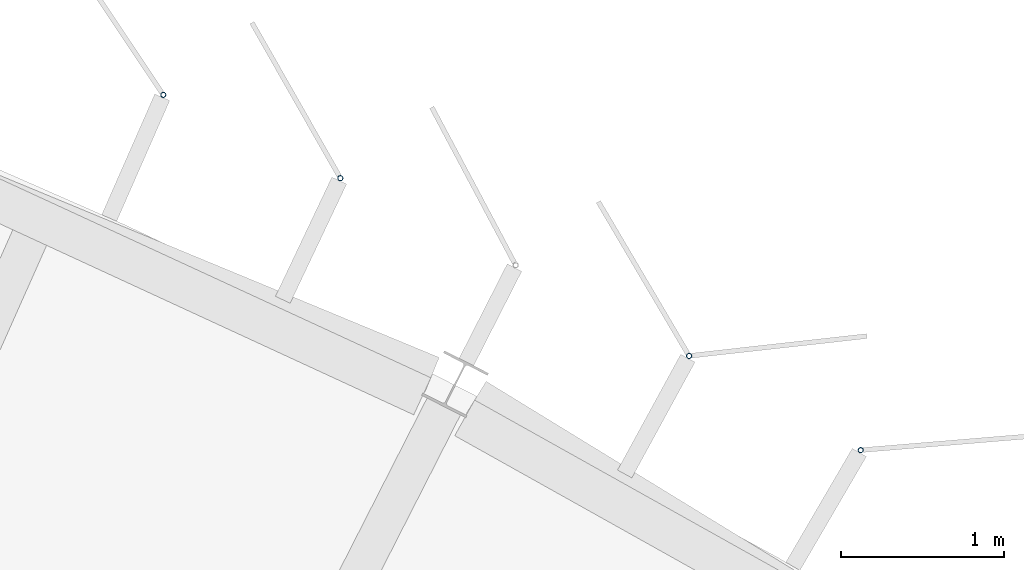
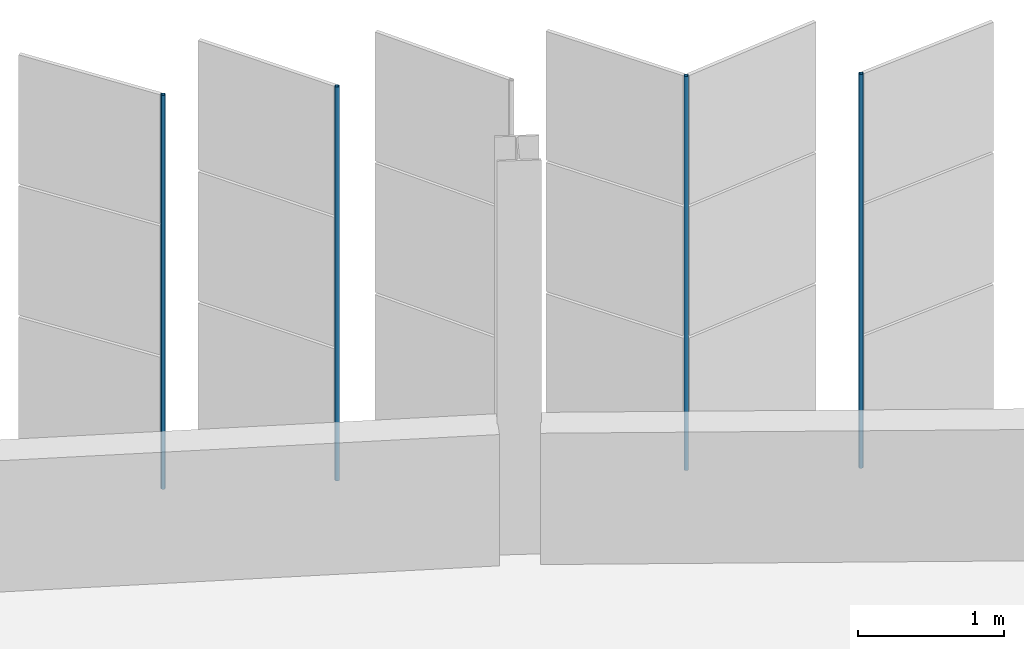
# One storey, part 160 of 199: 4 discrete accessories.
"""IFC4 building model written with IfcOpenShell, lengths in metres."""

from ifc_helpers import new_model, si_unit, direction, frame, origin, origin_2d, place, context, subcontext, project, spatial, hollow_circle, extrude, material, material_profile, profile_set, type_object, element, save


model = new_model("IFC4")

# Units and contexts
model_context = context("Model", 3, precision=1e-05, world=origin(), true_north=direction((0.0, 1.0)))
body_context = subcontext(model_context, "Body", "Model", "MODEL_VIEW")
ifc_project = project(units=[si_unit("LENGTHUNIT", "METRE"), si_unit("AREAUNIT", "SQUARE_METRE"), si_unit("VOLUMEUNIT", "CUBIC_METRE"), si_unit("PLANEANGLEUNIT", "RADIAN"), si_unit("MASSUNIT", "GRAM", prefix="KILO")], contexts=[model_context])

# Site, building, storey
site_placement = place(None, origin())
site = spatial("IfcSite", under=ifc_project, at=site_placement, CompositionType="ELEMENT")
building_placement = place(site_placement, origin())
building = spatial("IfcBuilding", under=site, at=building_placement, Name="Parallax Yard Mobility Hub", CompositionType="ELEMENT")
storey_placement = place(building_placement, frame((0.0, 0.0, 9.89990234375)))
storey = spatial("IfcBuildingStorey", under=building, at=storey_placement, Name="L03", CompositionType="ELEMENT", Elevation=9.89990234375)

# Discrete accessories
ifc_material = material(Name="Steel ASTM A500 Gr C, hot-dip galvanised", Category="steel")
ifc_material_profile = material_profile(ifc_material, hollow_circle(Radius=0.016845703125, WallThickness=0.003173828125, at=origin_2d()), Name="CHS 33.7x3.2")
ifc_profile_set = profile_set([ifc_material_profile], Name="Steel ASTM A500 Gr C, hot-dip galvanised")
discrete_accessory_type = type_object("IfcDiscreteAccessoryType", Name="Hinge post CHS 33.7x3.2", PredefinedType="BRACKET", material=ifc_profile_set)
for number, where, z_axis, x_axis, name in (
    (1, (198.8203125, 136.373779296875, 0.0), (0.0, 0.0, 1.0), (1.0, 0.0, 0.0), "Hinge post bay 47.6 level L03"),
    (2, (197.768798828125, 136.951416015625, 0.0), (0.0, 0.0, 1.0), (1.0, 0.0, 0.0), "Hinge post bay 47.7 level L03"),
    (3, (195.631103515625, 138.040771484375, 0.0), (0.0, 0.0, 1.0), (1.0, 0.0, 0.0), "Hinge post bay 48.2 level L03"),
    (4, (194.5458984375, 138.551513671875, 0.0), (0.0, 0.0, 1.0), (1.0, 0.0, 0.0), "Hinge post bay 48.3 level L03"),
):
    element("IfcDiscreteAccessory", number, at=place(storey_placement, frame(where, z_axis=z_axis, x_axis=x_axis)), inside=storey, type_object=discrete_accessory_type, Name=name, PredefinedType="BRACKET", context=body_context, shape_type="SweptSolid", body=[
        extrude(hollow_circle(Radius=0.016845703125, WallThickness=0.003173828125, at=origin_2d()), origin(), (0.0, 0.0, 1.0), 3.300048828125),
    ])

save(model, "model.ifc")
